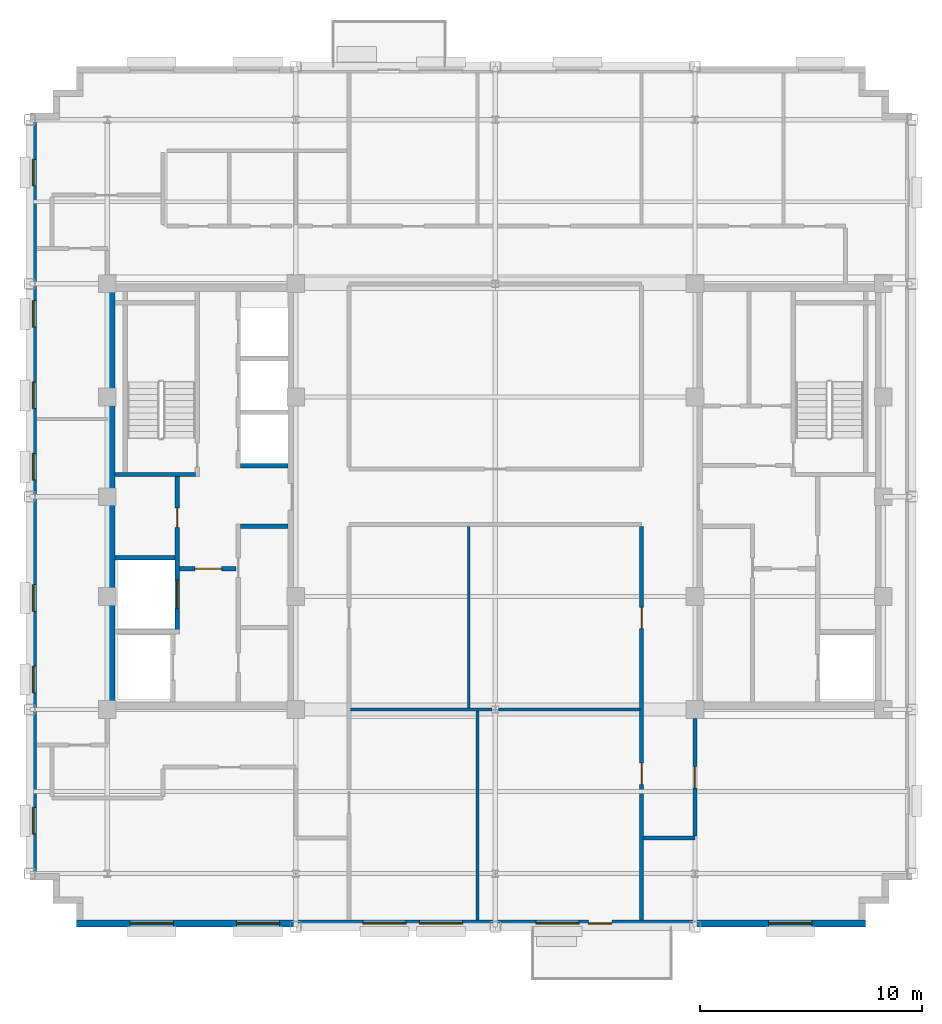
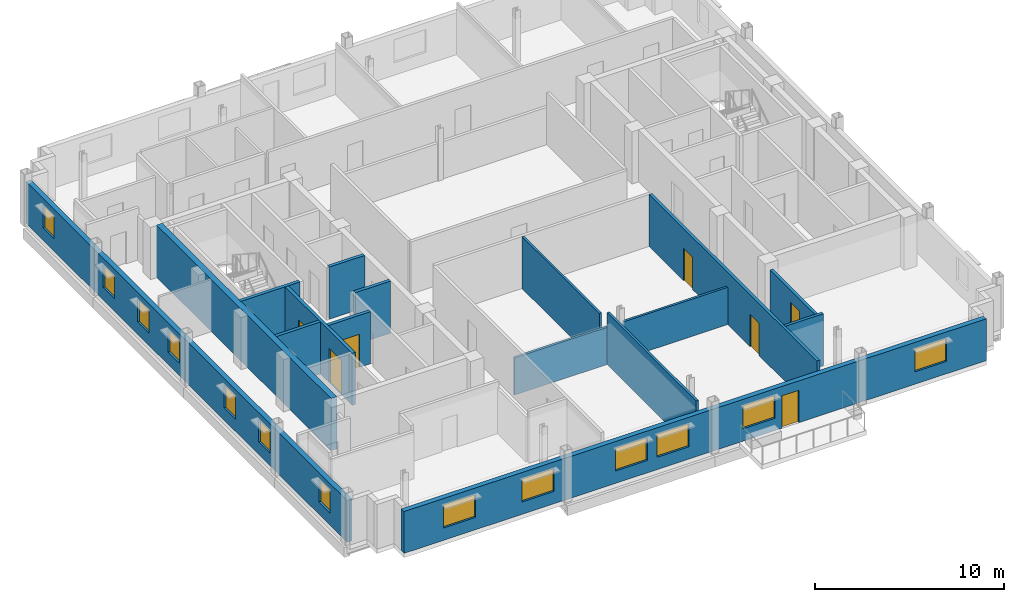
# One storey, part 6 of 13: 16 walls, 13 windows, 7 doors, 20 openings.
"""IFC4 building model written with IfcOpenShell, lengths in metres."""

from ifc_helpers import new_model, si_unit, direction, frame, frame_2d, origin, place, context, subcontext, project, spatial, rectangle, extrude, source, transform, mapped, material, layer, layer_set, type_object, type_shapes, element, fill, save


model = new_model("IFC4")

# Units and contexts
model_context = context("Model", 3, precision=1e-05, world=origin(), true_north=direction((0.0, 1.0)))
body_context = subcontext(model_context, "Body", "Model", "MODEL_VIEW")
ifc_project = project(units=[si_unit("LENGTHUNIT", "METRE"), si_unit("AREAUNIT", "SQUARE_METRE"), si_unit("VOLUMEUNIT", "CUBIC_METRE"), si_unit("PLANEANGLEUNIT", "RADIAN"), si_unit("MASSUNIT", "GRAM", prefix="KILO")], contexts=[model_context])

# Site, building, storey
site_placement = place(None, origin())
site = spatial("IfcSite", under=ifc_project, at=site_placement, CompositionType="ELEMENT")
building_placement = place(site_placement, origin())
building = spatial("IfcBuilding", under=site, at=building_placement, Name="Nuvemarco Arch Tower", CompositionType="ELEMENT")
storey_placement = place(building_placement, frame((0.0, 0.0, 261.60009765625)))
storey = spatial("IfcBuildingStorey", under=building, at=storey_placement, Name="L69", CompositionType="ELEMENT", Elevation=261.60009765625)

# Wall, openings, door, windows
ifc_material_1 = material(Name="Precast concrete C45/55", Category="concrete")
ifc_layer_1 = layer(ifc_material_1, 0.300048828125, Name="EW-HIGH-300")
ifc_layer_set_1 = layer_set([ifc_layer_1], Name="Precast concrete C45/55")
wall_type_1 = type_object("IfcWallType", Name="EW-HIGH-300", PredefinedType="STANDARD", material=ifc_layer_set_1)
wall_1_placement = place(storey_placement, frame((-18.89990234375, -19.25, 0.0), z_axis=(0.0, 0.0, 1.0), x_axis=(1.0, 0.0, 0.0)))
wall_1 = element("IfcWall", 1, at=wall_1_placement, inside=storey, type_object=wall_type_1, Name="L69 exterior precast facade wall 1", PredefinedType="STANDARD", context=body_context, shape_type="SweptSolid", body=[
    extrude(rectangle(XDim=35.599853515625, YDim=0.300048828125, at=frame_2d((17.7998046875, 0.0))), origin(), (0.0, 0.0, 1.0), 2.704833984375),
])
opening_1_placement = place(wall_1_placement, frame((24.150146484375, 0.0, 0.0), z_axis=(0.0, 0.0, 1.0), x_axis=(-1.0, 0.0, 0.0)))
opening_1 = element("IfcOpeningElement", 2, at=opening_1_placement, cuts=wall_1, Name="Opening ED-5", PredefinedType="OPENING", context=body_context, shape_type="SweptSolid", body=[
    extrude(rectangle(XDim=1.050048828125, YDim=2.10009765625, at=frame_2d((0.52490234375, 1.050048828125))), frame((0.0, 0.159912109375, 0.0), z_axis=(0.0, -1.0, 0.0), x_axis=(1.0, 0.0, 0.0)), (0.0, 0.0, 1.0), 0.320068359375),
])
opening_2_placement = place(wall_1_placement, frame((2.425048828125, 0.0, 0.800048828125)))
opening_2 = element("IfcOpeningElement", 3, at=opening_2_placement, cuts=wall_1, Name="Opening WN-7", PredefinedType="OPENING", context=body_context, shape_type="SweptSolid", body=[
    extrude(rectangle(XDim=1.949951171875, YDim=1.47998046875, at=frame_2d((0.97509765625, 0.739990234375))), frame((0.0, 0.159912109375, 0.0), z_axis=(0.0, -1.0, 0.0), x_axis=(1.0, 0.0, 0.0)), (0.0, 0.0, 1.0), 0.320068359375),
])
opening_3_placement = place(wall_1_placement, frame((7.22509765625, 0.0, 0.800048828125)))
opening_3 = element("IfcOpeningElement", 4, at=opening_3_placement, cuts=wall_1, Name="Opening WN-7", PredefinedType="OPENING", context=body_context, shape_type="SweptSolid", body=[
    extrude(rectangle(XDim=1.949951171875, YDim=1.47998046875, at=frame_2d((0.97509765625, 0.739990234375))), frame((0.0, 0.159912109375, 0.0), z_axis=(0.0, -1.0, 0.0), x_axis=(1.0, 0.0, 0.0)), (0.0, 0.0, 1.0), 0.320068359375),
])
opening_4_placement = place(wall_1_placement, frame((12.925048828125, 0.0, 0.800048828125)))
opening_4 = element("IfcOpeningElement", 5, at=opening_4_placement, cuts=wall_1, Name="Opening WN-7", PredefinedType="OPENING", context=body_context, shape_type="SweptSolid", body=[
    extrude(rectangle(XDim=1.949951171875, YDim=1.47998046875, at=frame_2d((0.97509765625, 0.739990234375))), frame((0.0, 0.159912109375, 0.0), z_axis=(0.0, -1.0, 0.0), x_axis=(1.0, 0.0, 0.0)), (0.0, 0.0, 1.0), 0.320068359375),
])
opening_5_placement = place(wall_1_placement, frame((15.47509765625, 0.0, 0.800048828125)))
opening_5 = element("IfcOpeningElement", 6, at=opening_5_placement, cuts=wall_1, Name="Opening WN-7", PredefinedType="OPENING", context=body_context, shape_type="SweptSolid", body=[
    extrude(rectangle(XDim=1.949951171875, YDim=1.47998046875, at=frame_2d((0.97509765625, 0.739990234375))), frame((0.0, 0.159912109375, 0.0), z_axis=(0.0, -1.0, 0.0), x_axis=(1.0, 0.0, 0.0)), (0.0, 0.0, 1.0), 0.320068359375),
])
opening_6_placement = place(wall_1_placement, frame((20.72509765625, 0.0, 0.800048828125)))
opening_6 = element("IfcOpeningElement", 7, at=opening_6_placement, cuts=wall_1, Name="Opening WN-7", PredefinedType="OPENING", context=body_context, shape_type="SweptSolid", body=[
    extrude(rectangle(XDim=1.949951171875, YDim=1.47998046875, at=frame_2d((0.97509765625, 0.739990234375))), frame((0.0, 0.159912109375, 0.0), z_axis=(0.0, -1.0, 0.0), x_axis=(1.0, 0.0, 0.0)), (0.0, 0.0, 1.0), 0.320068359375),
])
opening_7_placement = place(wall_1_placement, frame((31.22509765625, 0.0, 0.800048828125)))
opening_7 = element("IfcOpeningElement", 8, at=opening_7_placement, cuts=wall_1, Name="Opening WN-7", PredefinedType="OPENING", context=body_context, shape_type="SweptSolid", body=[
    extrude(rectangle(XDim=1.949951171875, YDim=1.47998046875, at=frame_2d((0.97509765625, 0.739990234375))), frame((0.0, 0.159912109375, 0.0), z_axis=(0.0, -1.0, 0.0), x_axis=(1.0, 0.0, 0.0)), (0.0, 0.0, 1.0), 0.320068359375),
])
ifc_material_2 = material(Name="Anodised bronze and laminated glass", Category="glass")
door_type_1 = type_object("IfcDoorType", Name="DR-EXT-TERR", OperationType="NOTDEFINED", PredefinedType="DOOR", material=ifc_material_2)
shared_shape_1 = source(origin(), body_context, "Body", "SweptSolid", [
    extrude(rectangle(XDim=1.050048828125, YDim=2.10009765625, at=frame_2d((0.52490234375, 1.050048828125))), frame((0.0, 0.02490234375, 0.0), z_axis=(0.0, -1.0, 0.0), x_axis=(1.0, 0.0, 0.0)), (0.0, 0.0, 1.0), 0.050048828125),
])
type_shapes(door_type_1, [shared_shape_1])
door_1_placement = place(opening_1_placement, origin())
door_1 = element("IfcDoor", 9, at=door_1_placement, inside=storey, type_object=door_type_1, Name="L69 spiral terrace access door", OperationType="SINGLE_SWING_RIGHT", OverallHeight=2.10009765625, OverallWidth=1.050048828125, PredefinedType="DOOR", context=body_context, shape_type="MappedRepresentation", body=[
    mapped(shared_shape_1, transform((0.0, 0.0, 0.0), scale=1.0)),
])
fill(opening_1, door_1)
ifc_material_3 = material(Name="Insulated solar-control glass", Category="glass")
window_type_1 = type_object("IfcWindowType", Name="WN-HIGH-1950x1480", PartitioningType="DOUBLE_PANEL_VERTICAL", PredefinedType="WINDOW", material=ifc_material_3)
shared_shape_2 = source(origin(), body_context, "Body", "SweptSolid", [
    extrude(rectangle(XDim=1.949951171875, YDim=1.47998046875, at=frame_2d((0.97509765625, 0.739990234375))), frame((0.0, 0.030029296875, 0.0), z_axis=(0.0, -1.0, 0.0), x_axis=(1.0, 0.0, 0.0)), (0.0, 0.0, 1.0), 0.06005859375),
])
type_shapes(window_type_1, [shared_shape_2])
window_1_placement = place(opening_2_placement, origin())
window_1 = element("IfcWindow", 10, at=window_1_placement, inside=storey, type_object=window_type_1, Name="L69 punched facade window 1", OverallHeight=1.47998046875, OverallWidth=1.949951171875, PartitioningType="SINGLE_PANEL", PredefinedType="WINDOW", context=body_context, shape_type="MappedRepresentation", body=[
    mapped(shared_shape_2, transform((0.0, 0.0, 0.0), scale=1.0)),
])
fill(opening_2, window_1)
window_2_placement = place(opening_3_placement, origin())
window_2 = element("IfcWindow", 11, at=window_2_placement, inside=storey, type_object=window_type_1, Name="L69 punched facade window 2", OverallHeight=1.47998046875, OverallWidth=1.949951171875, PartitioningType="SINGLE_PANEL", PredefinedType="WINDOW", context=body_context, shape_type="MappedRepresentation", body=[
    mapped(shared_shape_2, transform((0.0, 0.0, 0.0), scale=1.0)),
])
fill(opening_3, window_2)
window_3_placement = place(opening_4_placement, origin())
window_3 = element("IfcWindow", 12, at=window_3_placement, inside=storey, type_object=window_type_1, Name="L69 punched facade window 3", OverallHeight=1.47998046875, OverallWidth=1.949951171875, PartitioningType="SINGLE_PANEL", PredefinedType="WINDOW", context=body_context, shape_type="MappedRepresentation", body=[
    mapped(shared_shape_2, transform((0.0, 0.0, 0.0), scale=1.0)),
])
fill(opening_4, window_3)
window_4_placement = place(opening_5_placement, origin())
window_4 = element("IfcWindow", 13, at=window_4_placement, inside=storey, type_object=window_type_1, Name="L69 punched facade window 4", OverallHeight=1.47998046875, OverallWidth=1.949951171875, PartitioningType="SINGLE_PANEL", PredefinedType="WINDOW", context=body_context, shape_type="MappedRepresentation", body=[
    mapped(shared_shape_2, transform((0.0, 0.0, 0.0), scale=1.0)),
])
fill(opening_5, window_4)
window_5_placement = place(opening_6_placement, origin())
window_5 = element("IfcWindow", 14, at=window_5_placement, inside=storey, type_object=window_type_1, Name="L69 punched facade window 5", OverallHeight=1.47998046875, OverallWidth=1.949951171875, PartitioningType="SINGLE_PANEL", PredefinedType="WINDOW", context=body_context, shape_type="MappedRepresentation", body=[
    mapped(shared_shape_2, transform((0.0, 0.0, 0.0), scale=1.0)),
])
fill(opening_6, window_5)
window_6_placement = place(opening_7_placement, origin())
window_6 = element("IfcWindow", 15, at=window_6_placement, inside=storey, type_object=window_type_1, Name="L69 punched facade window 7", OverallHeight=1.47998046875, OverallWidth=1.949951171875, PartitioningType="SINGLE_PANEL", PredefinedType="WINDOW", context=body_context, shape_type="MappedRepresentation", body=[
    mapped(shared_shape_2, transform((0.0, 0.0, 0.0), scale=1.0)),
])
fill(opening_7, window_6)

# Wall, openings, windows
wall_2_placement = place(storey_placement, frame((-20.85009765625, -17.00390625, 0.0), z_axis=(0.0, 0.0, 1.0), x_axis=(0.0, 1.0, 0.0)))
wall_2 = element("IfcWall", 16, at=wall_2_placement, inside=storey, type_object=wall_type_1, Name="L69 exterior precast facade wall 16", PredefinedType="STANDARD", context=body_context, shape_type="SweptSolid", body=[
    extrude(rectangle(XDim=34.0078125, YDim=0.300048828125, at=frame_2d((17.00390625, 0.0))), origin(), (0.0, 0.0, 1.0), 2.704833984375),
])
opening_8_placement = place(wall_2_placement, frame((1.786376953125, 0.0, 0.800048828125)))
opening_8 = element("IfcOpeningElement", 17, at=opening_8_placement, cuts=wall_2, Name="Opening WN-8", PredefinedType="OPENING", context=body_context, shape_type="SweptSolid", body=[
    extrude(rectangle(XDim=1.199951171875, YDim=1.47998046875, at=frame_2d((0.60009765625, 0.739990234375))), frame((0.0, 0.159912109375, 0.0), z_axis=(0.0, -1.0, 0.0), x_axis=(1.0, 0.0, 0.0)), (0.0, 0.0, 1.0), 0.320068359375),
])
opening_9_placement = place(wall_2_placement, frame((8.158935546875, 0.0, 0.800048828125)))
opening_9 = element("IfcOpeningElement", 18, at=opening_9_placement, cuts=wall_2, Name="Opening WN-8", PredefinedType="OPENING", context=body_context, shape_type="SweptSolid", body=[
    extrude(rectangle(XDim=1.199951171875, YDim=1.47998046875, at=frame_2d((0.60009765625, 0.739990234375))), frame((0.0, 0.159912109375, 0.0), z_axis=(0.0, -1.0, 0.0), x_axis=(1.0, 0.0, 0.0)), (0.0, 0.0, 1.0), 0.320068359375),
])
opening_10_placement = place(wall_2_placement, frame((11.831298828125, 0.0, 0.800048828125)))
opening_10 = element("IfcOpeningElement", 19, at=opening_10_placement, cuts=wall_2, Name="Opening WN-8", PredefinedType="OPENING", context=body_context, shape_type="SweptSolid", body=[
    extrude(rectangle(XDim=1.199951171875, YDim=1.47998046875, at=frame_2d((0.60009765625, 0.739990234375))), frame((0.0, 0.159912109375, 0.0), z_axis=(0.0, -1.0, 0.0), x_axis=(1.0, 0.0, 0.0)), (0.0, 0.0, 1.0), 0.320068359375),
])
opening_11_placement = place(wall_2_placement, frame((17.75390625, 0.0, 0.800048828125)))
opening_11 = element("IfcOpeningElement", 20, at=opening_11_placement, cuts=wall_2, Name="Opening WN-8", PredefinedType="OPENING", context=body_context, shape_type="SweptSolid", body=[
    extrude(rectangle(XDim=1.199951171875, YDim=1.47998046875, at=frame_2d((0.60009765625, 0.739990234375))), frame((0.0, 0.159912109375, 0.0), z_axis=(0.0, -1.0, 0.0), x_axis=(1.0, 0.0, 0.0)), (0.0, 0.0, 1.0), 0.320068359375),
])
opening_12_placement = place(wall_2_placement, frame((20.9765625, 0.0, 0.800048828125)))
opening_12 = element("IfcOpeningElement", 21, at=opening_12_placement, cuts=wall_2, Name="Opening WN-8", PredefinedType="OPENING", context=body_context, shape_type="SweptSolid", body=[
    extrude(rectangle(XDim=1.199951171875, YDim=1.47998046875, at=frame_2d((0.60009765625, 0.739990234375))), frame((0.0, 0.159912109375, 0.0), z_axis=(0.0, -1.0, 0.0), x_axis=(1.0, 0.0, 0.0)), (0.0, 0.0, 1.0), 0.320068359375),
])
opening_13_placement = place(wall_2_placement, frame((24.649169921875, 0.0, 0.800048828125)))
opening_13 = element("IfcOpeningElement", 22, at=opening_13_placement, cuts=wall_2, Name="Opening WN-8", PredefinedType="OPENING", context=body_context, shape_type="SweptSolid", body=[
    extrude(rectangle(XDim=1.199951171875, YDim=1.47998046875, at=frame_2d((0.60009765625, 0.739990234375))), frame((0.0, 0.159912109375, 0.0), z_axis=(0.0, -1.0, 0.0), x_axis=(1.0, 0.0, 0.0)), (0.0, 0.0, 1.0), 0.320068359375),
])
opening_14_placement = place(wall_2_placement, frame((31.021728515625, 0.0, 0.800048828125)))
opening_14 = element("IfcOpeningElement", 23, at=opening_14_placement, cuts=wall_2, Name="Opening WN-8", PredefinedType="OPENING", context=body_context, shape_type="SweptSolid", body=[
    extrude(rectangle(XDim=1.199951171875, YDim=1.47998046875, at=frame_2d((0.60009765625, 0.739990234375))), frame((0.0, 0.159912109375, 0.0), z_axis=(0.0, -1.0, 0.0), x_axis=(1.0, 0.0, 0.0)), (0.0, 0.0, 1.0), 0.320068359375),
])
window_type_2 = type_object("IfcWindowType", Name="WN-HIGH-1200x1480", PartitioningType="SINGLE_PANEL", PredefinedType="WINDOW", material=ifc_material_3)
shared_shape_3 = source(origin(), body_context, "Body", "SweptSolid", [
    extrude(rectangle(XDim=1.199951171875, YDim=1.47998046875, at=frame_2d((0.60009765625, 0.739990234375))), frame((0.0, 0.030029296875, 0.0), z_axis=(0.0, -1.0, 0.0), x_axis=(1.0, 0.0, 0.0)), (0.0, 0.0, 1.0), 0.06005859375),
])
type_shapes(window_type_2, [shared_shape_3])
window_7_placement = place(opening_8_placement, origin())
window_7 = element("IfcWindow", 24, at=window_7_placement, inside=storey, type_object=window_type_2, Name="L69 punched facade window 1", OverallHeight=1.47998046875, OverallWidth=1.199951171875, PartitioningType="SINGLE_PANEL", PredefinedType="WINDOW", context=body_context, shape_type="MappedRepresentation", body=[
    mapped(shared_shape_3, transform((0.0, 0.0, 0.0), scale=1.0)),
])
fill(opening_8, window_7)
window_8_placement = place(opening_9_placement, origin())
window_8 = element("IfcWindow", 25, at=window_8_placement, inside=storey, type_object=window_type_2, Name="L69 punched facade window 2", OverallHeight=1.47998046875, OverallWidth=1.199951171875, PartitioningType="SINGLE_PANEL", PredefinedType="WINDOW", context=body_context, shape_type="MappedRepresentation", body=[
    mapped(shared_shape_3, transform((0.0, 0.0, 0.0), scale=1.0)),
])
fill(opening_9, window_8)
window_9_placement = place(opening_10_placement, origin())
window_9 = element("IfcWindow", 26, at=window_9_placement, inside=storey, type_object=window_type_2, Name="L69 punched facade window 3", OverallHeight=1.47998046875, OverallWidth=1.199951171875, PartitioningType="SINGLE_PANEL", PredefinedType="WINDOW", context=body_context, shape_type="MappedRepresentation", body=[
    mapped(shared_shape_3, transform((0.0, 0.0, 0.0), scale=1.0)),
])
fill(opening_10, window_9)
window_10_placement = place(opening_11_placement, origin())
window_10 = element("IfcWindow", 27, at=window_10_placement, inside=storey, type_object=window_type_2, Name="L69 punched facade window 4", OverallHeight=1.47998046875, OverallWidth=1.199951171875, PartitioningType="SINGLE_PANEL", PredefinedType="WINDOW", context=body_context, shape_type="MappedRepresentation", body=[
    mapped(shared_shape_3, transform((0.0, 0.0, 0.0), scale=1.0)),
])
fill(opening_11, window_10)
window_11_placement = place(opening_12_placement, origin())
window_11 = element("IfcWindow", 28, at=window_11_placement, inside=storey, type_object=window_type_2, Name="L69 punched facade window 5", OverallHeight=1.47998046875, OverallWidth=1.199951171875, PartitioningType="SINGLE_PANEL", PredefinedType="WINDOW", context=body_context, shape_type="MappedRepresentation", body=[
    mapped(shared_shape_3, transform((0.0, 0.0, 0.0), scale=1.0)),
])
fill(opening_12, window_11)
window_12_placement = place(opening_13_placement, origin())
window_12 = element("IfcWindow", 29, at=window_12_placement, inside=storey, type_object=window_type_2, Name="L69 punched facade window 6", OverallHeight=1.47998046875, OverallWidth=1.199951171875, PartitioningType="SINGLE_PANEL", PredefinedType="WINDOW", context=body_context, shape_type="MappedRepresentation", body=[
    mapped(shared_shape_3, transform((0.0, 0.0, 0.0), scale=1.0)),
])
fill(opening_13, window_12)
window_13_placement = place(opening_14_placement, origin())
window_13 = element("IfcWindow", 30, at=window_13_placement, inside=storey, type_object=window_type_2, Name="L69 punched facade window 7", OverallHeight=1.47998046875, OverallWidth=1.199951171875, PartitioningType="SINGLE_PANEL", PredefinedType="WINDOW", context=body_context, shape_type="MappedRepresentation", body=[
    mapped(shared_shape_3, transform((0.0, 0.0, 0.0), scale=1.0)),
])
fill(opening_14, window_13)

# Walls
ifc_material_4 = material(Name="Concrete C50/60", Category="concrete")
ifc_layer_2 = layer(ifc_material_4, 0.35009765625, Name="WL-CORE-350")
ifc_layer_set_2 = layer_set([ifc_layer_2], Name="Concrete C50/60")
wall_type_2 = type_object("IfcWallType", Name="WL-CORE-350", PredefinedType="SHEAR", material=ifc_layer_set_2)
wall_3_placement = place(storey_placement, frame((-17.324951171875, -9.2548828125, 0.0), z_axis=(0.0, 0.0, 1.0), x_axis=(0.0, 1.0, 0.0)))
element("IfcWall", 31, at=wall_3_placement, inside=storey, type_object=wall_type_2, Name="L69 W-core shear wall W", PredefinedType="SHEAR", context=body_context, shape_type="SweptSolid", body=[
    extrude(rectangle(XDim=18.509765625, YDim=0.35009765625, at=frame_2d((9.2548828125, 0.0))), origin(), (0.0, 0.0, 1.0), 3.369873046875),
])
ifc_material_5 = material(Name="Fire-rated gypsum drywall partition")
ifc_layer_3 = layer(ifc_material_5, 0.179931640625, Name="WL-CORR-180")
ifc_layer_set_3 = layer_set([ifc_layer_3], Name="Fire-rated gypsum drywall partition")
wall_type_3 = type_object("IfcWallType", Name="WL-CORR-180", PredefinedType="PARTITIONING", material=ifc_layer_set_3)
wall_4_placement = place(storey_placement, frame((6.666015625, -15.39990234375, 0.0), z_axis=(0.0, 0.0, 1.0), x_axis=(1.0, 0.0, 0.0)))
element("IfcWall", 32, at=wall_4_placement, inside=storey, type_object=wall_type_3, Name="L69 interior wall IW-L69-002", PredefinedType="PARTITIONING", context=body_context, shape_type="SweptSolid", body=[
    extrude(rectangle(XDim=2.333984375, YDim=0.179931640625, at=frame_2d((1.1669921875, 0.0))), origin(), (0.0, 0.0, 1.0), 3.35986328125),
])

# Wall, openings, doors
wall_5_placement = place(storey_placement, frame((6.60009765625, -19.10009765625, 0.0), z_axis=(0.0, 0.0, 1.0), x_axis=(0.0, 1.0, 0.0)))
wall_5 = element("IfcWall", 33, at=wall_5_placement, inside=storey, type_object=wall_type_3, Name="L69 interior wall IW-L69-033", PredefinedType="PARTITIONING", context=body_context, shape_type="SweptSolid", body=[
    extrude(rectangle(XDim=17.76416015625, YDim=0.179931640625, at=frame_2d((8.882080078125, 0.0))), origin(), (0.0, 0.0, 1.0), 3.35986328125),
])
opening_15_placement = place(wall_5_placement, frame((13.152099609375, 0.0, 0.0)))
opening_15 = element("IfcOpeningElement", 34, at=opening_15_placement, cuts=wall_5, Name="Opening FD-5", PredefinedType="OPENING", context=body_context, shape_type="SweptSolid", body=[
    extrude(rectangle(XDim=0.9599609375, YDim=2.10009765625, at=frame_2d((0.47998046875, 1.050048828125))), frame((0.0, 0.099853515625, 0.0), z_axis=(0.0, -1.0, 0.0), x_axis=(1.0, 0.0, 0.0)), (0.0, 0.0, 1.0), 0.199951171875),
])
opening_16_placement = place(wall_5_placement, frame((6.1201171875, 0.0, 0.0)))
opening_16 = element("IfcOpeningElement", 35, at=opening_16_placement, cuts=wall_5, Name="Opening FD-5", PredefinedType="OPENING", context=body_context, shape_type="SweptSolid", body=[
    extrude(rectangle(XDim=0.9599609375, YDim=2.10009765625, at=frame_2d((0.47998046875, 1.050048828125))), frame((0.0, 0.099853515625, 0.0), z_axis=(0.0, -1.0, 0.0), x_axis=(1.0, 0.0, 0.0)), (0.0, 0.0, 1.0), 0.199951171875),
])
ifc_material_6 = material(Name="Timber fire door", Category="wood")
door_type_2 = type_object("IfcDoorType", Name="DR-CORR-FD", OperationType="NOTDEFINED", PredefinedType="DOOR", material=ifc_material_6)
shared_shape_4 = source(origin(), body_context, "Body", "SweptSolid", [
    extrude(rectangle(XDim=0.9599609375, YDim=2.10009765625, at=frame_2d((0.47998046875, 1.050048828125))), frame((0.0, 0.02490234375, 0.0), z_axis=(0.0, -1.0, 0.0), x_axis=(1.0, 0.0, 0.0)), (0.0, 0.0, 1.0), 0.050048828125),
])
type_shapes(door_type_2, [shared_shape_4])
door_2_placement = place(opening_15_placement, origin())
door_2 = element("IfcDoor", 36, at=door_2_placement, inside=storey, type_object=door_type_2, Name="L69 door DR-L69-C_S2", OperationType="SINGLE_SWING_RIGHT", OverallHeight=2.10009765625, OverallWidth=0.9599609375, PredefinedType="DOOR", context=body_context, shape_type="MappedRepresentation", body=[
    mapped(shared_shape_4, transform((0.0, 0.0, 0.0), scale=1.0)),
])
fill(opening_15, door_2)
door_3_placement = place(opening_16_placement, origin())
door_3 = element("IfcDoor", 37, at=door_3_placement, inside=storey, type_object=door_type_2, Name="L69 door DR-L69-S_3", OperationType="SINGLE_SWING_LEFT", OverallHeight=2.10009765625, OverallWidth=0.9599609375, PredefinedType="DOOR", context=body_context, shape_type="MappedRepresentation", body=[
    mapped(shared_shape_4, transform((0.0, 0.0, 0.0), scale=1.0)),
])
fill(opening_16, door_3)

# Wall, opening, door
wall_6_placement = place(storey_placement, frame((9.0, -15.31396484375, 0.0), z_axis=(0.0, 0.0, 1.0), x_axis=(0.0, 1.0, 0.0)))
wall_6 = element("IfcWall", 38, at=wall_6_placement, inside=storey, type_object=wall_type_3, Name="L69 interior wall IW-L69-036", PredefinedType="PARTITIONING", context=body_context, shape_type="SweptSolid", body=[
    extrude(rectangle(XDim=5.31787109375, YDim=0.179931640625, at=frame_2d((2.658935546875, 0.0))), origin(), (0.0, 0.0, 1.0), 2.891845703125),
])
opening_17_placement = place(wall_6_placement, frame((2.178955078125, 0.0, 0.0)))
opening_17 = element("IfcOpeningElement", 39, at=opening_17_placement, cuts=wall_6, Name="Opening FD-5", PredefinedType="OPENING", context=body_context, shape_type="SweptSolid", body=[
    extrude(rectangle(XDim=0.9599609375, YDim=2.10009765625, at=frame_2d((0.47998046875, 1.050048828125))), frame((0.0, 0.099853515625, 0.0), z_axis=(0.0, -1.0, 0.0), x_axis=(1.0, 0.0, 0.0)), (0.0, 0.0, 1.0), 0.199951171875),
])
door_4_placement = place(opening_17_placement, origin())
door_4 = element("IfcDoor", 40, at=door_4_placement, inside=storey, type_object=door_type_2, Name="L69 door DR-L69-S_4", OperationType="SINGLE_SWING_LEFT", OverallHeight=2.10009765625, OverallWidth=0.9599609375, PredefinedType="DOOR", context=body_context, shape_type="MappedRepresentation", body=[
    mapped(shared_shape_4, transform((0.0, 0.0, 0.0), scale=1.0)),
])
fill(opening_17, door_4)

# Walls
ifc_material_7 = material(Name="Glazed acoustic office partition")
ifc_layer_4 = layer(ifc_material_7, 0.1298828125, Name="WL-EXEC-130")
ifc_layer_set_4 = layer_set([ifc_layer_4], Name="Glazed acoustic office partition")
wall_type_4 = type_object("IfcWallType", Name="WL-EXEC-130", PredefinedType="PARTITIONING", material=ifc_layer_set_4)
wall_7_placement = place(storey_placement, frame((-1.199951171875, -9.533935546875, 0.0), z_axis=(0.0, 0.0, 1.0), x_axis=(0.0, 1.0, 0.0)))
element("IfcWall", 41, at=wall_7_placement, inside=storey, type_object=wall_type_4, Name="L69 interior wall IW-L69-030", PredefinedType="PARTITIONING", context=body_context, shape_type="SweptSolid", body=[
    extrude(rectangle(XDim=8.197998046875, YDim=0.1298828125, at=frame_2d((4.09912109375, 0.0))), origin(), (0.0, 0.0, 1.0), 3.35986328125),
])
ifc_material_8 = material(Name="Gypsum plasterboard partition")
ifc_layer_5 = layer(ifc_material_8, 0.139892578125, Name="WL-ROOM-140")
ifc_layer_set_5 = layer_set([ifc_layer_5], Name="Gypsum plasterboard partition")
wall_type_5 = type_object("IfcWallType", Name="WL-ROOM-140", PredefinedType="PARTITIONING", material=ifc_layer_set_5)
wall_8_placement = place(storey_placement, frame((-6.52392578125, -9.60009765625, 0.0), z_axis=(0.0, 0.0, 1.0), x_axis=(1.0, 0.0, 0.0)))
element("IfcWall", 42, at=wall_8_placement, inside=storey, type_object=wall_type_5, Name="L69 interior wall IW-L69-006", PredefinedType="PARTITIONING", context=body_context, shape_type="SweptSolid", body=[
    extrude(rectangle(XDim=6.373046875, YDim=0.139892578125, at=frame_2d((3.1865234375, 0.0))), origin(), (0.0, 0.0, 1.0), 2.40478515625),
])
wall_9_placement = place(storey_placement, frame((0.15087890625, -9.60009765625, 0.0), z_axis=(0.0, 0.0, 1.0), x_axis=(1.0, 0.0, 0.0)))
element("IfcWall", 43, at=wall_9_placement, inside=storey, type_object=wall_type_5, Name="L69 interior wall IW-L69-007", PredefinedType="PARTITIONING", context=body_context, shape_type="SweptSolid", body=[
    extrude(rectangle(XDim=6.383056640625, YDim=0.139892578125, at=frame_2d((3.19140625, 0.0))), origin(), (0.0, 0.0, 1.0), 2.40478515625),
])
wall_10_placement = place(storey_placement, frame((-0.800048828125, -19.10009765625, 0.0), z_axis=(0.0, 0.0, 1.0), x_axis=(0.0, 1.0, 0.0)))
element("IfcWall", 44, at=wall_10_placement, inside=storey, type_object=wall_type_5, Name="L69 interior wall IW-L69-031", PredefinedType="PARTITIONING", context=body_context, shape_type="SweptSolid", body=[
    extrude(rectangle(XDim=9.43408203125, YDim=0.139892578125, at=frame_2d((4.717041015625, 0.0))), origin(), (0.0, 0.0, 1.0), 3.35986328125),
])
ifc_layer_6 = layer(ifc_material_4, 0.199951171875, Name="WL-SHAFT-220")
ifc_layer_set_6 = layer_set([ifc_layer_6], Name="Concrete C50/60")
wall_type_6 = type_object("IfcWallType", Name="WL-SHAFT-220", PredefinedType="SHEAR", material=ifc_layer_set_6)
wall_11_placement = place(storey_placement, frame((-17.155029296875, 1.0, 0.0), z_axis=(0.0, 0.0, 1.0), x_axis=(1.0, 0.0, 0.0)))
element("IfcWall", 45, at=wall_11_placement, inside=storey, type_object=wall_type_6, Name="L69 structural shaft wall SW-L69-W-ST1S", PredefinedType="SHEAR", context=body_context, shape_type="SweptSolid", body=[
    extrude(rectangle(XDim=3.6201171875, YDim=0.199951171875, at=frame_2d((1.81005859375, 0.0))), origin(), (0.0, 0.0, 1.0), 3.369873046875),
])

# Wall, openings, doors
wall_12_placement = place(storey_placement, frame((-14.35009765625, -6.199951171875, 0.0), z_axis=(0.0, 0.0, 1.0), x_axis=(0.0, 1.0, 0.0)))
wall_12 = element("IfcWall", 46, at=wall_12_placement, inside=storey, type_object=wall_type_6, Name="L69 structural shaft wall SW-L69-W-SVE", PredefinedType="SHEAR", context=body_context, shape_type="SweptSolid", body=[
    extrude(rectangle(XDim=7.10498046875, YDim=0.199951171875, at=frame_2d((3.552490234375, 0.0))), origin(), (0.0, 0.0, 1.0), 3.369873046875),
])
opening_18_placement = place(wall_12_placement, frame((5.68994140625, 0.0, 0.0), z_axis=(0.0, 0.0, 1.0), x_axis=(-1.0, 0.0, 0.0)))
opening_18 = element("IfcOpeningElement", 47, at=opening_18_placement, cuts=wall_12, Name="Opening FD-4", PredefinedType="OPENING", context=body_context, shape_type="SweptSolid", body=[
    extrude(rectangle(XDim=0.8798828125, YDim=2.10009765625, at=frame_2d((0.43994140625, 1.050048828125))), frame((0.0, 0.10986328125, 0.0), z_axis=(0.0, -1.0, 0.0), x_axis=(1.0, 0.0, 0.0)), (0.0, 0.0, 1.0), 0.219970703125),
])
opening_19_placement = place(wall_12_placement, frame((1.14990234375, 0.0, 0.0)))
opening_19 = element("IfcOpeningElement", 48, at=opening_19_placement, cuts=wall_12, Name="Opening LD-3", PredefinedType="OPENING", context=body_context, shape_type="SweptSolid", body=[
    extrude(rectangle(XDim=1.300048828125, YDim=2.199951171875, at=frame_2d((0.64990234375, 1.10009765625))), frame((0.0, 0.10986328125, 0.0), z_axis=(0.0, -1.0, 0.0), x_axis=(1.0, 0.0, 0.0)), (0.0, 0.0, 1.0), 0.219970703125),
])
ifc_material_9 = material(Name="Anodised steel fire door", Category="steel")
door_type_3 = type_object("IfcDoorType", Name="DR-RISER-FD", OperationType="NOTDEFINED", PredefinedType="DOOR", material=ifc_material_9)
shared_shape_5 = source(origin(), body_context, "Body", "SweptSolid", [
    extrude(rectangle(XDim=0.8798828125, YDim=2.10009765625, at=frame_2d((0.43994140625, 1.050048828125))), frame((0.0, 0.02490234375, 0.0), z_axis=(0.0, -1.0, 0.0), x_axis=(1.0, 0.0, 0.0)), (0.0, 0.0, 1.0), 0.050048828125),
])
type_shapes(door_type_3, [shared_shape_5])
door_5_placement = place(opening_18_placement, origin())
door_5 = element("IfcDoor", 49, at=door_5_placement, inside=storey, type_object=door_type_3, Name="L69 door FD-L69-WRIS", OperationType="SINGLE_SWING_RIGHT", OverallHeight=2.10009765625, OverallWidth=0.8798828125, PredefinedType="DOOR", context=body_context, shape_type="MappedRepresentation", body=[
    mapped(shared_shape_5, transform((0.0, 0.0, 0.0), scale=1.0)),
])
fill(opening_18, door_5)
ifc_material_10 = material(Name="Stainless steel lift door", Category="steel")
door_type_4 = type_object("IfcDoorType", Name="DR-LIFT-SERV", OperationType="DOUBLE_DOOR_SLIDING", PredefinedType="DOOR", material=ifc_material_10)
shared_shape_6 = source(origin(), body_context, "Body", "SweptSolid", [
    extrude(rectangle(XDim=1.300048828125, YDim=2.199951171875, at=frame_2d((0.64990234375, 1.10009765625))), frame((0.0, 0.02490234375, 0.0), z_axis=(0.0, -1.0, 0.0), x_axis=(1.0, 0.0, 0.0)), (0.0, 0.0, 1.0), 0.050048828125),
])
type_shapes(door_type_4, [shared_shape_6])
door_6_placement = place(opening_19_placement, origin())
door_6 = element("IfcDoor", 50, at=door_6_placement, inside=storey, type_object=door_type_4, Name="L69 Lift landing sliding door SVL-1", OperationType="DOUBLE_DOOR_SLIDING", OverallHeight=2.199951171875, OverallWidth=1.300048828125, PredefinedType="DOOR", context=body_context, shape_type="MappedRepresentation", body=[
    mapped(shared_shape_6, transform((0.0, 0.0, 0.0), scale=1.0)),
])
fill(opening_19, door_6)

# Wall
wall_13_placement = place(storey_placement, frame((-17.155029296875, -2.75, 0.0), z_axis=(0.0, 0.0, 1.0), x_axis=(1.0, 0.0, 0.0)))
element("IfcWall", 51, at=wall_13_placement, inside=storey, type_object=wall_type_6, Name="L69 structural shaft wall SW-L69-W-SH2", PredefinedType="SHEAR", context=body_context, shape_type="SweptSolid", body=[
    extrude(rectangle(XDim=2.7099609375, YDim=0.199951171875, at=frame_2d((1.35498046875, 0.0))), origin(), (0.0, 0.0, 1.0), 3.369873046875),
])

# Wall, opening, door
wall_14_placement = place(storey_placement, frame((-14.2548828125, -3.25, 0.0), z_axis=(0.0, 0.0, 1.0), x_axis=(1.0, 0.0, 0.0)))
wall_14 = element("IfcWall", 52, at=wall_14_placement, inside=storey, type_object=wall_type_6, Name="L69 structural shaft wall SW-L69-W-FFN", PredefinedType="SHEAR", context=body_context, shape_type="SweptSolid", body=[
    extrude(rectangle(XDim=2.559814453125, YDim=0.199951171875, at=frame_2d((1.27978515625, 0.0))), origin(), (0.0, 0.0, 1.0), 3.369873046875),
])
opening_20_placement = place(wall_14_placement, frame((0.705078125, 0.0, 0.0)))
opening_20 = element("IfcOpeningElement", 53, at=opening_20_placement, cuts=wall_14, Name="Opening FD-2", PredefinedType="OPENING", context=body_context, shape_type="SweptSolid", body=[
    extrude(rectangle(XDim=1.199951171875, YDim=2.14990234375, at=frame_2d((0.60009765625, 1.074951171875))), frame((0.0, 0.10986328125, 0.0), z_axis=(0.0, -1.0, 0.0), x_axis=(1.0, 0.0, 0.0)), (0.0, 0.0, 1.0), 0.219970703125),
])
door_type_5 = type_object("IfcDoorType", Name="DR-FFLOB-FD", OperationType="NOTDEFINED", PredefinedType="DOOR", material=ifc_material_9)
shared_shape_7 = source(origin(), body_context, "Body", "SweptSolid", [
    extrude(rectangle(XDim=1.199951171875, YDim=2.14990234375, at=frame_2d((0.60009765625, 1.074951171875))), frame((0.0, 0.02490234375, 0.0), z_axis=(0.0, -1.0, 0.0), x_axis=(1.0, 0.0, 0.0)), (0.0, 0.0, 1.0), 0.050048828125),
])
type_shapes(door_type_5, [shared_shape_7])
door_7_placement = place(opening_20_placement, origin())
door_7 = element("IfcDoor", 54, at=door_7_placement, inside=storey, type_object=door_type_5, Name="L69 door FD-L69-WFF1", OperationType="SINGLE_SWING_RIGHT", OverallHeight=2.14990234375, OverallWidth=1.199951171875, PredefinedType="DOOR", context=body_context, shape_type="MappedRepresentation", body=[
    mapped(shared_shape_7, transform((0.0, 0.0, 0.0), scale=1.0)),
])
fill(opening_20, door_7)

# Walls
for number, where, z_axis, x_axis, name in (
    (55, (-11.5048828125, -1.330078125, 0.0), (0.0, 0.0, 1.0), (1.0, 0.0, 0.0), "L69 structural shaft wall SW-L69-W-PLTOP"),
    (56, (-11.5048828125, 1.39990234375, 0.0), (0.0, 0.0, 1.0), (1.0, 0.0, 0.0), "L69 structural shaft wall SW-L69-W-PHD1"),
):
    element("IfcWall", number, at=place(storey_placement, frame(where, z_axis=z_axis, x_axis=x_axis)), inside=storey, type_object=wall_type_6, Name=name, PredefinedType="SHEAR", context=body_context, shape_type="SweptSolid", body=[
        extrude(rectangle(XDim=2.159912109375, YDim=0.199951171875, at=frame_2d((1.080078125, 0.0))), origin(), (0.0, 0.0, 1.0), 3.369873046875),
    ])

save(model, "model.ifc")
